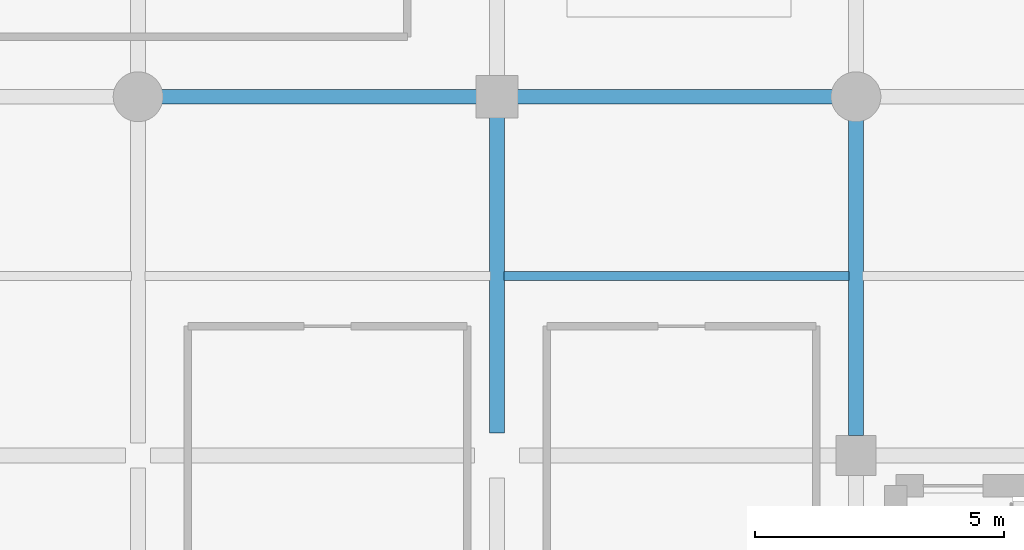
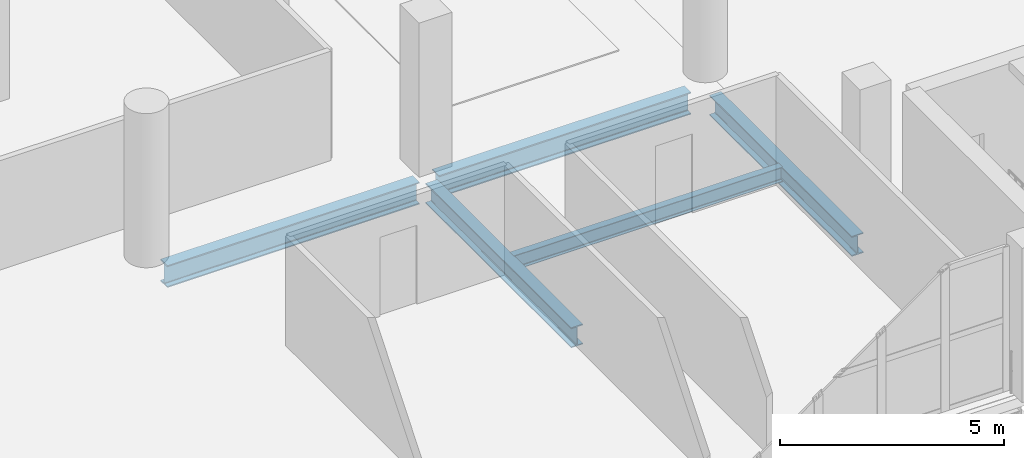
# One storey, part 10 of 153: 5 beams.
"""IFC4 building model written with IfcOpenShell, lengths in metres."""

from ifc_helpers import new_model, si_unit, direction, frame, origin, origin_2d, place, context, subcontext, project, spatial, i_section, extrude, material, material_profile, profile_set, type_object, element, save


model = new_model("IFC4")

# Units and contexts
model_context = context("Model", 3, precision=1e-05, world=origin(), true_north=direction((0.0, 1.0)))
body_context = subcontext(model_context, "Body", "Model", "MODEL_VIEW")
ifc_project = project(units=[si_unit("LENGTHUNIT", "METRE"), si_unit("AREAUNIT", "SQUARE_METRE"), si_unit("VOLUMEUNIT", "CUBIC_METRE"), si_unit("PLANEANGLEUNIT", "RADIAN"), si_unit("MASSUNIT", "GRAM", prefix="KILO")], contexts=[model_context])

# Site, building, storey
site_placement = place(None, origin())
site = spatial("IfcSite", under=ifc_project, at=site_placement, CompositionType="ELEMENT")
building_placement = place(site_placement, origin())
building = spatial("IfcBuilding", under=site, at=building_placement, Name="Qandorah Velis Arena", CompositionType="ELEMENT")
storey_placement = place(building_placement, frame((0.0, 0.0, 5.39990234375)))
storey = spatial("IfcBuildingStorey", under=building, at=storey_placement, Name="L01", CompositionType="ELEMENT", Elevation=5.39990234375)

# Beams
ifc_material = material(Name="Steel S355", Category="steel")
ifc_material_profile_1 = material_profile(ifc_material, i_section(OverallWidth=0.300048828125, OverallDepth=0.550048828125, WebThickness=0.014892578125, FlangeThickness=0.029052734375, FilletRadius=0.027099609375, at=origin_2d()), Name="HEB 550")
ifc_profile_set_1 = profile_set([ifc_material_profile_1], Name="Steel S355")
beam_type_1 = type_object("IfcBeamType", Name="STR-BM-HEB550", PredefinedType="BEAM", material=ifc_profile_set_1)
beam_1_placement = place(storey_placement, frame((21.60009765625, 7.64990234375, -0.635009765625), z_axis=(0.0, 1.0, 0.0), x_axis=(-1.0, 0.0, 0.0)))
element("IfcBeam", 1, at=beam_1_placement, inside=storey, type_object=beam_type_1, Name="Primary floor girder L01 Y-275", PredefinedType="BEAM", context=body_context, shape_type="SweptSolid", body=[
    extrude(i_section(OverallWidth=0.300048828125, OverallDepth=0.550048828125, WebThickness=0.014892578125, FlangeThickness=0.029052734375, FilletRadius=0.027099609375, at=origin_2d()), origin(), (0.0, 0.0, 1.0), 6.5),
])
beam_2_placement = place(storey_placement, frame((28.800048828125, 7.60009765625, -0.635009765625), z_axis=(0.0, 1.0, 0.0), x_axis=(-1.0, 0.0, 0.0)))
element("IfcBeam", 2, at=beam_2_placement, inside=storey, type_object=beam_type_1, Name="Primary floor girder L01 Y-293", PredefinedType="BEAM", context=body_context, shape_type="SweptSolid", body=[
    extrude(i_section(OverallWidth=0.300048828125, OverallDepth=0.550048828125, WebThickness=0.014892578125, FlangeThickness=0.029052734375, FilletRadius=0.027099609375, at=origin_2d()), origin(), (0.0, 0.0, 1.0), 6.349853515625),
])
ifc_material_profile_2 = material_profile(ifc_material, i_section(OverallWidth=0.300048828125, OverallDepth=0.60009765625, WebThickness=0.015380859375, FlangeThickness=0.030029296875, FilletRadius=0.027099609375, at=origin_2d()), Name="HEB 600")
ifc_profile_set_2 = profile_set([ifc_material_profile_2], Name="Steel S355")
beam_type_2 = type_object("IfcBeamType", Name="STR-BM-HEB600", PredefinedType="BEAM", material=ifc_profile_set_2)
for number, where, z_axis, x_axis, name in (
    (3, (14.85009765625, 14.39990234375, -0.659912109375), (1.0, 0.0, 0.0), (0.0, 1.0, 0.0), "Primary floor girder L01 X-035"),
    (4, (21.85009765625, 14.39990234375, -0.659912109375), (1.0, 0.0, 0.0), (0.0, 1.0, 0.0), "Primary floor girder L01 X-036"),
):
    element("IfcBeam", number, at=place(storey_placement, frame(where, z_axis=z_axis, x_axis=x_axis)), inside=storey, type_object=beam_type_2, Name=name, PredefinedType="BEAM", context=body_context, shape_type="SweptSolid", body=[
        extrude(i_section(OverallWidth=0.300048828125, OverallDepth=0.60009765625, WebThickness=0.015380859375, FlangeThickness=0.030029296875, FilletRadius=0.027099609375, at=origin_2d()), origin(), (0.0, 0.0, 1.0), 6.5),
    ])
ifc_material_profile_3 = material_profile(ifc_material, i_section(OverallWidth=0.179931640625, OverallDepth=0.39990234375, WebThickness=0.008544921875, FlangeThickness=0.013427734375, FilletRadius=0.02099609375, at=origin_2d()), Name="IPE 400")
ifc_profile_set_3 = profile_set([ifc_material_profile_3], Name="Steel S355")
beam_type_3 = type_object("IfcBeamType", Name="STR-JST-IPE400", PredefinedType="JOIST", material=ifc_profile_set_3)
beam_3_placement = place(storey_placement, frame((21.735107421875, 10.800048828125, -0.559814453125), z_axis=(1.0, 0.0, 0.0), x_axis=(0.0, 1.0, 0.0)))
element("IfcBeam", 5, at=beam_3_placement, inside=storey, type_object=beam_type_3, Name="Secondary floor joist L01-052", PredefinedType="JOIST", context=body_context, shape_type="SweptSolid", body=[
    extrude(i_section(OverallWidth=0.179931640625, OverallDepth=0.39990234375, WebThickness=0.008544921875, FlangeThickness=0.013427734375, FilletRadius=0.02099609375, at=origin_2d()), origin(), (0.0, 0.0, 1.0), 6.929931640625),
])

save(model, "model.ifc")
